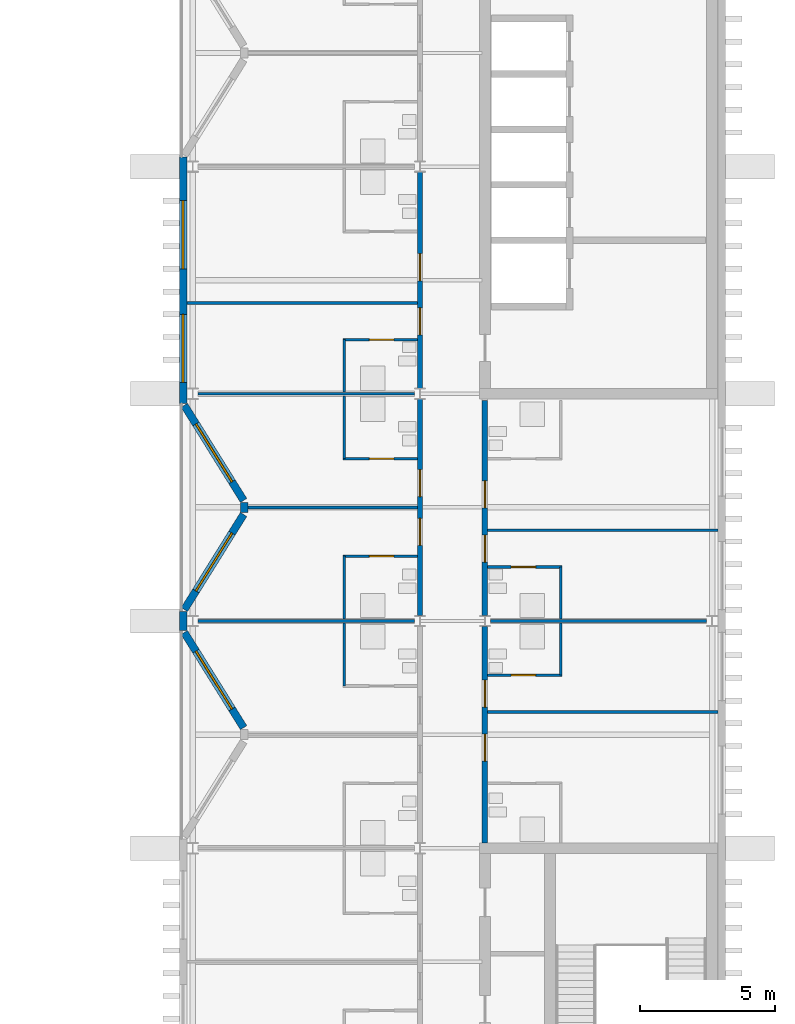
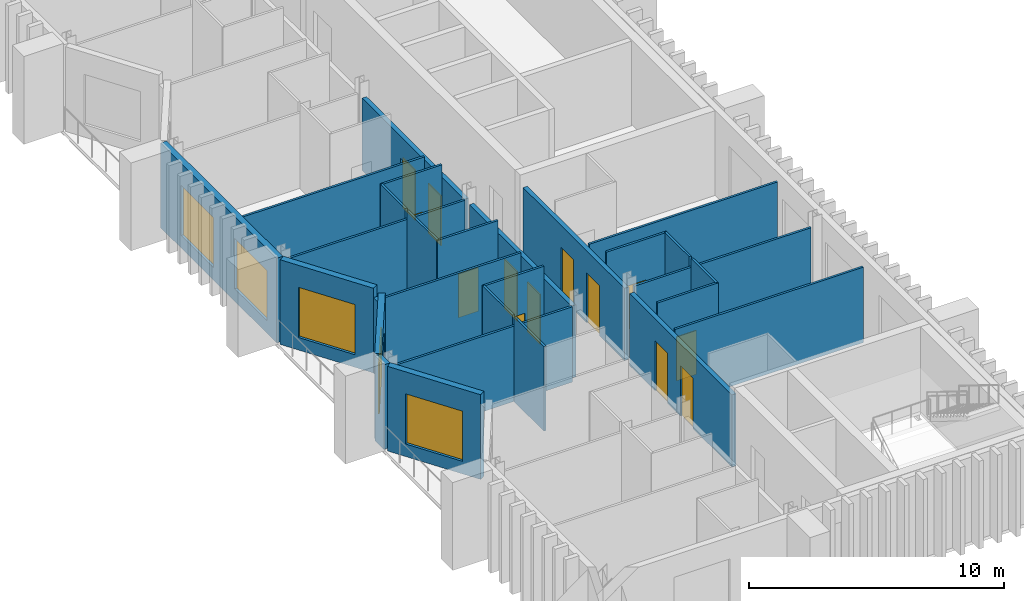
# One storey, part 12 of 18: 28 walls, 13 doors, 5 windows, 18 openings.
"""IFC4 building model written with IfcOpenShell, lengths in metres."""

from ifc_helpers import new_model, si_unit, direction, frame, frame_2d, origin, place, context, subcontext, project, spatial, rectangle, extrude, material, layer, layer_set, type_object, element, fill, save


model = new_model("IFC4")

# Units and contexts
model_context = context("Model", 3, precision=1e-05, world=origin(), true_north=direction((0.0, 1.0)))
body_context = subcontext(model_context, "Body", "Model", "MODEL_VIEW")
ifc_project = project(units=[si_unit("LENGTHUNIT", "METRE"), si_unit("AREAUNIT", "SQUARE_METRE"), si_unit("VOLUMEUNIT", "CUBIC_METRE"), si_unit("PLANEANGLEUNIT", "RADIAN"), si_unit("MASSUNIT", "GRAM", prefix="KILO")], contexts=[model_context])

# Site, building, storey
site_placement = place(None, origin())
site = spatial("IfcSite", under=ifc_project, at=site_placement, CompositionType="ELEMENT")
building_placement = place(site_placement, origin())
building = spatial("IfcBuilding", under=site, at=building_placement, Name="Cresset Court Congress Hotel", CompositionType="ELEMENT")
storey_placement = place(building_placement, frame((0.0, 0.0, 35.39990234375)))
storey = spatial("IfcBuildingStorey", under=building, at=storey_placement, Name="L08", CompositionType="ELEMENT", Elevation=35.39990234375)

# Wall, openings, doors
ifc_material_1 = material(Name="Gypsum board partition")
ifc_layer_1 = layer(ifc_material_1, 0.199951171875)
ifc_layer_set_1 = layer_set([ifc_layer_1], Name="Corridor wall 200")
wall_type_1 = type_object("IfcWallType", Name="Corridor wall 200", PredefinedType="PARTITIONING", material=ifc_layer_set_1)
wall_1_placement = place(storey_placement, frame((165.60009765625, 17.0, 0.0), z_axis=(0.0, 0.0, 1.0), x_axis=(0.0, 1.0, 0.0)))
wall_1 = element("IfcWall", 1, at=wall_1_placement, inside=storey, type_object=wall_type_1, Name="A.wl.L08.072", PredefinedType="PARTITIONING", context=body_context, shape_type="SweptSolid", body=[
    extrude(rectangle(XDim=8.0, YDim=0.199951171875, at=frame_2d((4.0, 0.0))), origin(), (0.0, 0.0, 1.0), 3.4501953125),
])
opening_1_placement = place(wall_1_placement, frame((2.60009765625, 0.0, 0.0)))
opening_1 = element("IfcOpeningElement", 2, at=opening_1_placement, cuts=wall_1, Name="Opening DA-08-10", PredefinedType="OPENING", context=body_context, shape_type="SweptSolid", body=[
    extrude(rectangle(XDim=1.0, YDim=2.39990234375, at=frame_2d((0.5, 1.199951171875))), frame((0.0, 0.10986328125, 0.0), z_axis=(0.0, -1.0, 0.0), x_axis=(1.0, 0.0, 0.0)), (0.0, 0.0, 1.0), 0.219970703125),
])
opening_2_placement = place(wall_1_placement, frame((4.39990234375, 0.0, 0.0)))
opening_2 = element("IfcOpeningElement", 3, at=opening_2_placement, cuts=wall_1, Name="Opening DA-08-12", PredefinedType="OPENING", context=body_context, shape_type="SweptSolid", body=[
    extrude(rectangle(XDim=1.0, YDim=2.39990234375, at=frame_2d((0.5, 1.199951171875))), frame((0.0, 0.10986328125, 0.0), z_axis=(0.0, -1.0, 0.0), x_axis=(1.0, 0.0, 0.0)), (0.0, 0.0, 1.0), 0.219970703125),
])
ifc_material_2 = material(Name="timber", Category="wood")
door_type_1 = type_object("IfcDoorType", Name="Guest-room entry door 1000x2400 FD30S", OperationType="SINGLE_SWING_LEFT", PredefinedType="DOOR", material=ifc_material_2)
door_1_placement = place(opening_1_placement, origin())
door_1 = element("IfcDoor", 4, at=door_1_placement, inside=storey, type_object=door_type_1, Name="Door DA-08-10", OperationType="SINGLE_SWING_RIGHT", OverallHeight=2.39990234375, OverallWidth=1.0, PredefinedType="DOOR", context=body_context, shape_type="SweptSolid", body=[
    extrude(rectangle(XDim=1.0, YDim=2.39990234375, at=frame_2d((0.5, 1.199951171875))), frame((0.0, 0.02490234375, 0.0), z_axis=(0.0, -1.0, 0.0), x_axis=(1.0, 0.0, 0.0)), (0.0, 0.0, 1.0), 0.050048828125),
])
fill(opening_1, door_1)
door_2_placement = place(opening_2_placement, origin())
door_2 = element("IfcDoor", 5, at=door_2_placement, inside=storey, type_object=door_type_1, Name="Door DA-08-12", OperationType="SINGLE_SWING_LEFT", OverallHeight=2.39990234375, OverallWidth=1.0, PredefinedType="DOOR", context=body_context, shape_type="SweptSolid", body=[
    extrude(rectangle(XDim=1.0, YDim=2.39990234375, at=frame_2d((0.5, 1.199951171875))), frame((0.0, 0.02490234375, 0.0), z_axis=(0.0, -1.0, 0.0), x_axis=(1.0, 0.0, 0.0)), (0.0, 0.0, 1.0), 0.050048828125),
])
fill(opening_2, door_2)

wall_2_placement = place(storey_placement, frame((165.60009765625, 25.39990234375, 0.0), z_axis=(0.0, 0.0, 1.0), x_axis=(0.0, 1.0, 0.0)))
wall_2 = element("IfcWall", 6, at=wall_2_placement, inside=storey, type_object=wall_type_1, Name="A.wl.L08.073", PredefinedType="PARTITIONING", context=body_context, shape_type="SweptSolid", body=[
    extrude(rectangle(XDim=8.0, YDim=0.199951171875, at=frame_2d((4.0, 0.0))), origin(), (0.0, 0.0, 1.0), 3.4501953125),
])
opening_3_placement = place(wall_2_placement, frame((1.97998046875, 0.0, 0.0)))
opening_3 = element("IfcOpeningElement", 7, at=opening_3_placement, cuts=wall_2, Name="Opening DA-08-14", PredefinedType="OPENING", context=body_context, shape_type="SweptSolid", body=[
    extrude(rectangle(XDim=1.0, YDim=2.39990234375, at=frame_2d((0.5, 1.199951171875))), frame((0.0, 0.10986328125, 0.0), z_axis=(0.0, -1.0, 0.0), x_axis=(1.0, 0.0, 0.0)), (0.0, 0.0, 1.0), 0.219970703125),
])
opening_4_placement = place(wall_2_placement, frame((3.97998046875, 0.0, 0.0)))
opening_4 = element("IfcOpeningElement", 8, at=opening_4_placement, cuts=wall_2, Name="Opening DA-08-16", PredefinedType="OPENING", context=body_context, shape_type="SweptSolid", body=[
    extrude(rectangle(XDim=1.0, YDim=2.39990234375, at=frame_2d((0.5, 1.199951171875))), frame((0.0, 0.10986328125, 0.0), z_axis=(0.0, -1.0, 0.0), x_axis=(1.0, 0.0, 0.0)), (0.0, 0.0, 1.0), 0.219970703125),
])
door_3_placement = place(opening_3_placement, origin())
door_3 = element("IfcDoor", 9, at=door_3_placement, inside=storey, type_object=door_type_1, Name="Door DA-08-14", OperationType="SINGLE_SWING_RIGHT", OverallHeight=2.39990234375, OverallWidth=1.0, PredefinedType="DOOR", context=body_context, shape_type="SweptSolid", body=[
    extrude(rectangle(XDim=1.0, YDim=2.39990234375, at=frame_2d((0.5, 1.199951171875))), frame((0.0, 0.02490234375, 0.0), z_axis=(0.0, -1.0, 0.0), x_axis=(1.0, 0.0, 0.0)), (0.0, 0.0, 1.0), 0.050048828125),
])
fill(opening_3, door_3)
door_4_placement = place(opening_4_placement, origin())
door_4 = element("IfcDoor", 10, at=door_4_placement, inside=storey, type_object=door_type_1, Name="Door DA-08-16", OperationType="SINGLE_SWING_LEFT", OverallHeight=2.39990234375, OverallWidth=1.0, PredefinedType="DOOR", context=body_context, shape_type="SweptSolid", body=[
    extrude(rectangle(XDim=1.0, YDim=2.39990234375, at=frame_2d((0.5, 1.199951171875))), frame((0.0, 0.02490234375, 0.0), z_axis=(0.0, -1.0, 0.0), x_axis=(1.0, 0.0, 0.0)), (0.0, 0.0, 1.0), 0.050048828125),
])
fill(opening_4, door_4)

wall_3_placement = place(storey_placement, frame((168.0, 8.60009765625, 0.0), z_axis=(0.0, 0.0, 1.0), x_axis=(0.0, 1.0, 0.0)))
wall_3 = element("IfcWall", 11, at=wall_3_placement, inside=storey, type_object=wall_type_1, Name="A.wl.L08.078", PredefinedType="PARTITIONING", context=body_context, shape_type="SweptSolid", body=[
    extrude(rectangle(XDim=8.0, YDim=0.199951171875, at=frame_2d((4.0, 0.0))), origin(), (0.0, 0.0, 1.0), 3.4501953125),
])
opening_5_placement = place(wall_3_placement, frame((3.02001953125, 0.0, 0.0)))
opening_5 = element("IfcOpeningElement", 12, at=opening_5_placement, cuts=wall_3, Name="Opening DA-08-34", PredefinedType="OPENING", context=body_context, shape_type="SweptSolid", body=[
    extrude(rectangle(XDim=1.0, YDim=2.39990234375, at=frame_2d((0.5, 1.199951171875))), frame((0.0, 0.10986328125, 0.0), z_axis=(0.0, -1.0, 0.0), x_axis=(1.0, 0.0, 0.0)), (0.0, 0.0, 1.0), 0.219970703125),
])
opening_6_placement = place(wall_3_placement, frame((5.02001953125, 0.0, 0.0)))
opening_6 = element("IfcOpeningElement", 13, at=opening_6_placement, cuts=wall_3, Name="Opening DA-08-36", PredefinedType="OPENING", context=body_context, shape_type="SweptSolid", body=[
    extrude(rectangle(XDim=1.0, YDim=2.39990234375, at=frame_2d((0.5, 1.199951171875))), frame((0.0, 0.10986328125, 0.0), z_axis=(0.0, -1.0, 0.0), x_axis=(1.0, 0.0, 0.0)), (0.0, 0.0, 1.0), 0.219970703125),
])
door_5_placement = place(opening_5_placement, origin())
door_5 = element("IfcDoor", 14, at=door_5_placement, inside=storey, type_object=door_type_1, Name="Door DA-08-34", OperationType="SINGLE_SWING_RIGHT", OverallHeight=2.39990234375, OverallWidth=1.0, PredefinedType="DOOR", context=body_context, shape_type="SweptSolid", body=[
    extrude(rectangle(XDim=1.0, YDim=2.39990234375, at=frame_2d((0.5, 1.199951171875))), frame((0.0, 0.02490234375, 0.0), z_axis=(0.0, -1.0, 0.0), x_axis=(1.0, 0.0, 0.0)), (0.0, 0.0, 1.0), 0.050048828125),
])
fill(opening_5, door_5)
door_6_placement = place(opening_6_placement, origin())
door_6 = element("IfcDoor", 15, at=door_6_placement, inside=storey, type_object=door_type_1, Name="Door DA-08-36", OperationType="SINGLE_SWING_LEFT", OverallHeight=2.39990234375, OverallWidth=1.0, PredefinedType="DOOR", context=body_context, shape_type="SweptSolid", body=[
    extrude(rectangle(XDim=1.0, YDim=2.39990234375, at=frame_2d((0.5, 1.199951171875))), frame((0.0, 0.02490234375, 0.0), z_axis=(0.0, -1.0, 0.0), x_axis=(1.0, 0.0, 0.0)), (0.0, 0.0, 1.0), 0.050048828125),
])
fill(opening_6, door_6)

wall_4_placement = place(storey_placement, frame((168.0, 17.0, 0.0), z_axis=(0.0, 0.0, 1.0), x_axis=(0.0, 1.0, 0.0)))
wall_4 = element("IfcWall", 16, at=wall_4_placement, inside=storey, type_object=wall_type_1, Name="A.wl.L08.079", PredefinedType="PARTITIONING", context=body_context, shape_type="SweptSolid", body=[
    extrude(rectangle(XDim=7.949951171875, YDim=0.199951171875, at=frame_2d((3.97509765625, 0.0))), origin(), (0.0, 0.0, 1.0), 3.4501953125),
])
opening_7_placement = place(wall_4_placement, frame((1.97998046875, 0.0, 0.0)))
opening_7 = element("IfcOpeningElement", 17, at=opening_7_placement, cuts=wall_4, Name="Opening DA-08-38", PredefinedType="OPENING", context=body_context, shape_type="SweptSolid", body=[
    extrude(rectangle(XDim=1.0, YDim=2.39990234375, at=frame_2d((0.5, 1.199951171875))), frame((0.0, 0.10986328125, 0.0), z_axis=(0.0, -1.0, 0.0), x_axis=(1.0, 0.0, 0.0)), (0.0, 0.0, 1.0), 0.219970703125),
])
opening_8_placement = place(wall_4_placement, frame((3.97998046875, 0.0, 0.0)))
opening_8 = element("IfcOpeningElement", 18, at=opening_8_placement, cuts=wall_4, Name="Opening DA-08-40", PredefinedType="OPENING", context=body_context, shape_type="SweptSolid", body=[
    extrude(rectangle(XDim=1.0, YDim=2.39990234375, at=frame_2d((0.5, 1.199951171875))), frame((0.0, 0.10986328125, 0.0), z_axis=(0.0, -1.0, 0.0), x_axis=(1.0, 0.0, 0.0)), (0.0, 0.0, 1.0), 0.219970703125),
])
door_7_placement = place(opening_7_placement, origin())
door_7 = element("IfcDoor", 19, at=door_7_placement, inside=storey, type_object=door_type_1, Name="Door DA-08-38", OperationType="SINGLE_SWING_RIGHT", OverallHeight=2.39990234375, OverallWidth=1.0, PredefinedType="DOOR", context=body_context, shape_type="SweptSolid", body=[
    extrude(rectangle(XDim=1.0, YDim=2.39990234375, at=frame_2d((0.5, 1.199951171875))), frame((0.0, 0.02490234375, 0.0), z_axis=(0.0, -1.0, 0.0), x_axis=(1.0, 0.0, 0.0)), (0.0, 0.0, 1.0), 0.050048828125),
])
fill(opening_7, door_7)
door_8_placement = place(opening_8_placement, origin())
door_8 = element("IfcDoor", 20, at=door_8_placement, inside=storey, type_object=door_type_1, Name="Door DA-08-40", OperationType="SINGLE_SWING_LEFT", OverallHeight=2.39990234375, OverallWidth=1.0, PredefinedType="DOOR", context=body_context, shape_type="SweptSolid", body=[
    extrude(rectangle(XDim=1.0, YDim=2.39990234375, at=frame_2d((0.5, 1.199951171875))), frame((0.0, 0.02490234375, 0.0), z_axis=(0.0, -1.0, 0.0), x_axis=(1.0, 0.0, 0.0)), (0.0, 0.0, 1.0), 0.050048828125),
])
fill(opening_8, door_8)

# Walls
ifc_material_3 = material(Name="Gypsum board partition")
ifc_layer_2 = layer(ifc_material_3, 0.10009765625)
ifc_layer_set_2 = layer_set([ifc_layer_2], Name="En-suite wall 100")
wall_type_2 = type_object("IfcWallType", Name="En-suite wall 100", PredefinedType="PARTITIONING", material=ifc_layer_set_2)
wall_5_placement = place(storey_placement, frame((162.800048828125, 14.39990234375, 0.0), z_axis=(0.0, 0.0, 1.0), x_axis=(0.0, 1.0, 0.0)))
element("IfcWall", 21, at=wall_5_placement, inside=storey, type_object=wall_type_2, Name="A.wl.L08.007", PredefinedType="PARTITIONING", context=body_context, shape_type="SweptSolid", body=[
    extrude(rectangle(XDim=2.3251953125, YDim=0.10009765625, at=frame_2d((1.16259765625, 0.0))), origin(), (0.0, 0.0, 1.0), 4.050048828125),
])
wall_6_placement = place(storey_placement, frame((162.800048828125, 16.875, 0.0), z_axis=(0.0, 0.0, 1.0), x_axis=(0.0, 1.0, 0.0)))
element("IfcWall", 22, at=wall_6_placement, inside=storey, type_object=wall_type_2, Name="A.wl.L08.009", PredefinedType="PARTITIONING", context=body_context, shape_type="SweptSolid", body=[
    extrude(rectangle(XDim=2.324951171875, YDim=0.10009765625, at=frame_2d((1.16259765625, 0.0))), origin(), (0.0, 0.0, 1.0), 4.050048828125),
])

# Wall, opening, door
wall_7_placement = place(storey_placement, frame((162.75, 19.199951171875, 0.0), z_axis=(0.0, 0.0, 1.0), x_axis=(1.0, 0.0, 0.0)))
wall_7 = element("IfcWall", 23, at=wall_7_placement, inside=storey, type_object=wall_type_2, Name="A.wl.L08.010", PredefinedType="PARTITIONING", context=body_context, shape_type="SweptSolid", body=[
    extrude(rectangle(XDim=2.75, YDim=0.10009765625, at=frame_2d((1.375, 0.0))), origin(), (0.0, 0.0, 1.0), 4.050048828125),
])
opening_9_placement = place(wall_7_placement, frame((0.97998046875, 0.0, 0.0)))
opening_9 = element("IfcOpeningElement", 24, at=opening_9_placement, cuts=wall_7, Name="Opening DA-08-09", PredefinedType="OPENING", context=body_context, shape_type="SweptSolid", body=[
    extrude(rectangle(XDim=0.89990234375, YDim=2.10009765625, at=frame_2d((0.449951171875, 1.050048828125))), frame((0.0, 0.06005859375, 0.0), z_axis=(0.0, -1.0, 0.0), x_axis=(1.0, 0.0, 0.0)), (0.0, 0.0, 1.0), 0.1201171875),
])
ifc_material_4 = material(Name="timber", Category="wood")
door_type_2 = type_object("IfcDoorType", Name="En-suite door 900x2100", OperationType="SINGLE_SWING_LEFT", PredefinedType="DOOR", material=ifc_material_4)
door_9_placement = place(opening_9_placement, origin())
door_9 = element("IfcDoor", 25, at=door_9_placement, inside=storey, type_object=door_type_2, Name="Door DA-08-09", OperationType="SINGLE_SWING_RIGHT", OverallHeight=2.10009765625, OverallWidth=0.89990234375, PredefinedType="DOOR", context=body_context, shape_type="SweptSolid", body=[
    extrude(rectangle(XDim=0.89990234375, YDim=2.10009765625, at=frame_2d((0.449951171875, 1.050048828125))), frame((0.0, 0.02490234375, 0.0), z_axis=(0.0, -1.0, 0.0), x_axis=(1.0, 0.0, 0.0)), (0.0, 0.0, 1.0), 0.050048828125),
])
fill(opening_9, door_9)

# Wall
wall_8_placement = place(storey_placement, frame((162.800048828125, 22.800048828125, 0.0), z_axis=(0.0, 0.0, 1.0), x_axis=(0.0, 1.0, 0.0)))
element("IfcWall", 26, at=wall_8_placement, inside=storey, type_object=wall_type_2, Name="A.wl.L08.011", PredefinedType="PARTITIONING", context=body_context, shape_type="SweptSolid", body=[
    extrude(rectangle(XDim=2.324951171875, YDim=0.10009765625, at=frame_2d((1.16259765625, 0.0))), origin(), (0.0, 0.0, 1.0), 4.050048828125),
])

# Wall, opening, door
wall_9_placement = place(storey_placement, frame((162.75, 22.800048828125, 0.0), z_axis=(0.0, 0.0, 1.0), x_axis=(1.0, 0.0, 0.0)))
wall_9 = element("IfcWall", 27, at=wall_9_placement, inside=storey, type_object=wall_type_2, Name="A.wl.L08.012", PredefinedType="PARTITIONING", context=body_context, shape_type="SweptSolid", body=[
    extrude(rectangle(XDim=2.75, YDim=0.10009765625, at=frame_2d((1.375, 0.0))), origin(), (0.0, 0.0, 1.0), 4.050048828125),
])
opening_10_placement = place(wall_9_placement, frame((0.97998046875, 0.0, 0.0)))
opening_10 = element("IfcOpeningElement", 28, at=opening_10_placement, cuts=wall_9, Name="Opening DA-08-11", PredefinedType="OPENING", context=body_context, shape_type="SweptSolid", body=[
    extrude(rectangle(XDim=0.89990234375, YDim=2.10009765625, at=frame_2d((0.449951171875, 1.050048828125))), frame((0.0, 0.06005859375, 0.0), z_axis=(0.0, -1.0, 0.0), x_axis=(1.0, 0.0, 0.0)), (0.0, 0.0, 1.0), 0.1201171875),
])
door_10_placement = place(opening_10_placement, origin())
door_10 = element("IfcDoor", 29, at=door_10_placement, inside=storey, type_object=door_type_2, Name="Door DA-08-11", OperationType="SINGLE_SWING_LEFT", OverallHeight=2.10009765625, OverallWidth=0.89990234375, PredefinedType="DOOR", context=body_context, shape_type="SweptSolid", body=[
    extrude(rectangle(XDim=0.89990234375, YDim=2.10009765625, at=frame_2d((0.449951171875, 1.050048828125))), frame((0.0, 0.02490234375, 0.0), z_axis=(0.0, -1.0, 0.0), x_axis=(1.0, 0.0, 0.0)), (0.0, 0.0, 1.0), 0.050048828125),
])
fill(opening_10, door_10)

# Wall
wall_10_placement = place(storey_placement, frame((162.800048828125, 25.27490234375, 0.0), z_axis=(0.0, 0.0, 1.0), x_axis=(0.0, 1.0, 0.0)))
element("IfcWall", 30, at=wall_10_placement, inside=storey, type_object=wall_type_2, Name="A.wl.L08.013", PredefinedType="PARTITIONING", context=body_context, shape_type="SweptSolid", body=[
    extrude(rectangle(XDim=1.925048828125, YDim=0.10009765625, at=frame_2d((0.96240234375, 0.0))), origin(), (0.0, 0.0, 1.0), 4.050048828125),
])

# Wall, opening, door
wall_11_placement = place(storey_placement, frame((162.75, 27.199951171875, 0.0), z_axis=(0.0, 0.0, 1.0), x_axis=(1.0, 0.0, 0.0)))
wall_11 = element("IfcWall", 31, at=wall_11_placement, inside=storey, type_object=wall_type_2, Name="A.wl.L08.014", PredefinedType="PARTITIONING", context=body_context, shape_type="SweptSolid", body=[
    extrude(rectangle(XDim=2.75, YDim=0.10009765625, at=frame_2d((1.375, 0.0))), origin(), (0.0, 0.0, 1.0), 4.050048828125),
])
opening_11_placement = place(wall_11_placement, frame((0.97998046875, 0.0, 0.0)))
opening_11 = element("IfcOpeningElement", 32, at=opening_11_placement, cuts=wall_11, Name="Opening DA-08-13", PredefinedType="OPENING", context=body_context, shape_type="SweptSolid", body=[
    extrude(rectangle(XDim=0.89990234375, YDim=2.10009765625, at=frame_2d((0.449951171875, 1.050048828125))), frame((0.0, 0.06005859375, 0.0), z_axis=(0.0, -1.0, 0.0), x_axis=(1.0, 0.0, 0.0)), (0.0, 0.0, 1.0), 0.1201171875),
])
door_11_placement = place(opening_11_placement, origin())
door_11 = element("IfcDoor", 33, at=door_11_placement, inside=storey, type_object=door_type_2, Name="Door DA-08-13", OperationType="SINGLE_SWING_RIGHT", OverallHeight=2.10009765625, OverallWidth=0.89990234375, PredefinedType="DOOR", context=body_context, shape_type="SweptSolid", body=[
    extrude(rectangle(XDim=0.89990234375, YDim=2.10009765625, at=frame_2d((0.449951171875, 1.050048828125))), frame((0.0, 0.02490234375, 0.0), z_axis=(0.0, -1.0, 0.0), x_axis=(1.0, 0.0, 0.0)), (0.0, 0.0, 1.0), 0.050048828125),
])
fill(opening_11, door_11)

# Wall
wall_12_placement = place(storey_placement, frame((170.800048828125, 14.800048828125, 0.0), z_axis=(0.0, 0.0, 1.0), x_axis=(0.0, 1.0, 0.0)))
element("IfcWall", 34, at=wall_12_placement, inside=storey, type_object=wall_type_2, Name="A.wl.L08.035", PredefinedType="PARTITIONING", context=body_context, shape_type="SweptSolid", body=[
    extrude(rectangle(XDim=1.925048828125, YDim=0.10009765625, at=frame_2d((0.96240234375, 0.0))), origin(), (0.0, 0.0, 1.0), 4.050048828125),
])

# Wall, opening, door
wall_13_placement = place(storey_placement, frame((170.85009765625, 14.800048828125, 0.0), z_axis=(0.0, 0.0, 1.0), x_axis=(-1.0, 0.0, 0.0)))
wall_13 = element("IfcWall", 35, at=wall_13_placement, inside=storey, type_object=wall_type_2, Name="A.wl.L08.036", PredefinedType="PARTITIONING", context=body_context, shape_type="SweptSolid", body=[
    extrude(rectangle(XDim=2.75, YDim=0.10009765625, at=frame_2d((1.375, 0.0))), origin(), (0.0, 0.0, 1.0), 4.050048828125),
])
opening_12_placement = place(wall_13_placement, frame((0.97998046875, 0.0, 0.0)))
opening_12 = element("IfcOpeningElement", 36, at=opening_12_placement, cuts=wall_13, Name="Opening DA-08-35", PredefinedType="OPENING", context=body_context, shape_type="SweptSolid", body=[
    extrude(rectangle(XDim=0.89990234375, YDim=2.10009765625, at=frame_2d((0.449951171875, 1.050048828125))), frame((0.0, 0.06005859375, 0.0), z_axis=(0.0, -1.0, 0.0), x_axis=(1.0, 0.0, 0.0)), (0.0, 0.0, 1.0), 0.1201171875),
])
door_12_placement = place(opening_12_placement, origin())
door_12 = element("IfcDoor", 37, at=door_12_placement, inside=storey, type_object=door_type_2, Name="Door DA-08-35", OperationType="SINGLE_SWING_LEFT", OverallHeight=2.10009765625, OverallWidth=0.89990234375, PredefinedType="DOOR", context=body_context, shape_type="SweptSolid", body=[
    extrude(rectangle(XDim=0.89990234375, YDim=2.10009765625, at=frame_2d((0.449951171875, 1.050048828125))), frame((0.0, 0.02490234375, 0.0), z_axis=(0.0, -1.0, 0.0), x_axis=(1.0, 0.0, 0.0)), (0.0, 0.0, 1.0), 0.050048828125),
])
fill(opening_12, door_12)

# Wall
wall_14_placement = place(storey_placement, frame((170.800048828125, 16.875, 0.0), z_axis=(0.0, 0.0, 1.0), x_axis=(0.0, 1.0, 0.0)))
element("IfcWall", 38, at=wall_14_placement, inside=storey, type_object=wall_type_2, Name="A.wl.L08.037", PredefinedType="PARTITIONING", context=body_context, shape_type="SweptSolid", body=[
    extrude(rectangle(XDim=1.925048828125, YDim=0.10009765625, at=frame_2d((0.96240234375, 0.0))), origin(), (0.0, 0.0, 1.0), 4.050048828125),
])

# Wall, opening, door
wall_15_placement = place(storey_placement, frame((170.85009765625, 18.800048828125, 0.0), z_axis=(0.0, 0.0, 1.0), x_axis=(-1.0, 0.0, 0.0)))
wall_15 = element("IfcWall", 39, at=wall_15_placement, inside=storey, type_object=wall_type_2, Name="A.wl.L08.038", PredefinedType="PARTITIONING", context=body_context, shape_type="SweptSolid", body=[
    extrude(rectangle(XDim=2.75, YDim=0.10009765625, at=frame_2d((1.375, 0.0))), origin(), (0.0, 0.0, 1.0), 4.050048828125),
])
opening_13_placement = place(wall_15_placement, frame((0.97998046875, 0.0, 0.0)))
opening_13 = element("IfcOpeningElement", 40, at=opening_13_placement, cuts=wall_15, Name="Opening DA-08-37", PredefinedType="OPENING", context=body_context, shape_type="SweptSolid", body=[
    extrude(rectangle(XDim=0.89990234375, YDim=2.10009765625, at=frame_2d((0.449951171875, 1.050048828125))), frame((0.0, 0.06005859375, 0.0), z_axis=(0.0, -1.0, 0.0), x_axis=(1.0, 0.0, 0.0)), (0.0, 0.0, 1.0), 0.1201171875),
])
door_13_placement = place(opening_13_placement, origin())
door_13 = element("IfcDoor", 41, at=door_13_placement, inside=storey, type_object=door_type_2, Name="Door DA-08-37", OperationType="SINGLE_SWING_RIGHT", OverallHeight=2.10009765625, OverallWidth=0.89990234375, PredefinedType="DOOR", context=body_context, shape_type="SweptSolid", body=[
    extrude(rectangle(XDim=0.89990234375, YDim=2.10009765625, at=frame_2d((0.449951171875, 1.050048828125))), frame((0.0, 0.02490234375, 0.0), z_axis=(0.0, -1.0, 0.0), x_axis=(1.0, 0.0, 0.0)), (0.0, 0.0, 1.0), 0.050048828125),
])
fill(opening_13, door_13)

# Wall, opening, window
ifc_material_5 = material(Name="Precast concrete C50", Category="concrete")
ifc_layer_3 = layer(ifc_material_5, 0.280029296875)
ifc_layer_set_3 = layer_set([ifc_layer_3], Name="External wall 280")
wall_type_3 = type_object("IfcWallType", Name="External wall 280", PredefinedType="SOLIDWALL", material=ifc_layer_set_3)
wall_16_placement = place(storey_placement, frame((159.07861328125, 12.85888671875, 0.0), z_axis=(0.0, 0.0, 1.0), x_axis=(-0.528992500338, 0.848626498871, 0.0)))
wall_16 = element("IfcWall", 42, at=wall_16_placement, inside=storey, type_object=wall_type_3, Name="A.ew.L08.Wn.1.1", PredefinedType="SOLIDWALL", context=body_context, shape_type="SweptSolid", body=[
    extrude(rectangle(XDim=4.14453125, YDim=0.280029296875, at=frame_2d((2.072265625, 0.0))), origin(), (0.0, 0.0, 1.0), 4.050048828125),
])
opening_14_placement = place(wall_16_placement, frame((0.812255859375, 0.0, 0.60009765625)))
opening_14 = element("IfcOpeningElement", 43, at=opening_14_placement, cuts=wall_16, Name="Opening NA-08-04", PredefinedType="OPENING", context=body_context, shape_type="SweptSolid", body=[
    extrude(rectangle(XDim=2.52001953125, YDim=2.39990234375, at=frame_2d((1.260009765625, 1.199951171875))), frame((0.0, 0.14990234375, 0.0), z_axis=(0.0, -1.0, 0.0), x_axis=(1.0, 0.0, 0.0)), (0.0, 0.0, 1.0), 0.300048828125),
])
ifc_material_6 = material(Name="Aluminium and glass", Category="aluminium")
window_type = type_object("IfcWindowType", Name="Window 2520x2400", PartitioningType="SINGLE_PANEL", PredefinedType="WINDOW", material=ifc_material_6)
window_1_placement = place(opening_14_placement, origin())
window_1 = element("IfcWindow", 44, at=window_1_placement, inside=storey, type_object=window_type, Name="Window NA-08-04", OverallHeight=2.39990234375, OverallWidth=2.52001953125, PartitioningType="SINGLE_PANEL", PredefinedType="WINDOW", context=body_context, shape_type="SweptSolid", body=[
    extrude(rectangle(XDim=2.52001953125, YDim=2.39990234375, at=frame_2d((1.260009765625, 1.199951171875))), frame((0.0, 0.030029296875, 0.0), z_axis=(0.0, -1.0, 0.0), x_axis=(1.0, 0.0, 0.0)), (0.0, 0.0, 1.0), 0.06005859375),
])
fill(opening_14, window_1)

# Wall
wall_17_placement = place(storey_placement, frame((156.840087890625, 16.449951171875, 0.0), z_axis=(0.0, 0.0, 1.0), x_axis=(0.0, 1.0, 0.0)))
element("IfcWall", 45, at=wall_17_placement, inside=storey, type_object=wall_type_3, Name="A.ew.L08.W.2", PredefinedType="SOLIDWALL", context=body_context, shape_type="SweptSolid", body=[
    extrude(rectangle(XDim=0.699951171875, YDim=0.280029296875, at=frame_2d((0.35009765625, 0.0))), origin(), (0.0, 0.0, 1.0), 4.050048828125),
])

# Wall, opening, window
wall_18_placement = place(storey_placement, frame((156.88623046875, 17.22412109375, 0.0), z_axis=(0.0, 0.0, 1.0), x_axis=(0.529018946142, 0.848610013271, 0.0)))
wall_18 = element("IfcWall", 46, at=wall_18_placement, inside=storey, type_object=wall_type_3, Name="A.ew.L08.Wn.2.0", PredefinedType="SOLIDWALL", context=body_context, shape_type="SweptSolid", body=[
    extrude(rectangle(XDim=4.144287109375, YDim=0.280029296875, at=frame_2d((2.072265625, 0.0))), origin(), (0.0, 0.0, 1.0), 4.050048828125),
])
opening_15_placement = place(wall_18_placement, frame((0.812255859375, 0.0, 0.60009765625)))
opening_15 = element("IfcOpeningElement", 47, at=opening_15_placement, cuts=wall_18, Name="Opening NA-08-05", PredefinedType="OPENING", context=body_context, shape_type="SweptSolid", body=[
    extrude(rectangle(XDim=2.52001953125, YDim=2.39990234375, at=frame_2d((1.260009765625, 1.199951171875))), frame((0.0, 0.14990234375, 0.0), z_axis=(0.0, -1.0, 0.0), x_axis=(1.0, 0.0, 0.0)), (0.0, 0.0, 1.0), 0.300048828125),
])
window_2_placement = place(opening_15_placement, origin())
window_2 = element("IfcWindow", 48, at=window_2_placement, inside=storey, type_object=window_type, Name="Window NA-08-05", OverallHeight=2.39990234375, OverallWidth=2.52001953125, PartitioningType="SINGLE_PANEL", PredefinedType="WINDOW", context=body_context, shape_type="SweptSolid", body=[
    extrude(rectangle(XDim=2.52001953125, YDim=2.39990234375, at=frame_2d((1.260009765625, 1.199951171875))), frame((0.0, 0.030029296875, 0.0), z_axis=(0.0, -1.0, 0.0), x_axis=(1.0, 0.0, 0.0)), (0.0, 0.0, 1.0), 0.06005859375),
])
fill(opening_15, window_2)

wall_19_placement = place(storey_placement, frame((159.07861328125, 21.259033203125, 0.0), z_axis=(0.0, 0.0, 1.0), x_axis=(-0.529018946142, 0.848610013271, 0.0)))
wall_19 = element("IfcWall", 49, at=wall_19_placement, inside=storey, type_object=wall_type_3, Name="A.ew.L08.Wn.2.1", PredefinedType="SOLIDWALL", context=body_context, shape_type="SweptSolid", body=[
    extrude(rectangle(XDim=4.144287109375, YDim=0.280029296875, at=frame_2d((2.072265625, 0.0))), origin(), (0.0, 0.0, 1.0), 4.050048828125),
])
opening_16_placement = place(wall_19_placement, frame((0.812255859375, 0.0, 0.60009765625)))
opening_16 = element("IfcOpeningElement", 50, at=opening_16_placement, cuts=wall_19, Name="Opening NA-08-06", PredefinedType="OPENING", context=body_context, shape_type="SweptSolid", body=[
    extrude(rectangle(XDim=2.52001953125, YDim=2.39990234375, at=frame_2d((1.260009765625, 1.199951171875))), frame((0.0, 0.14990234375, 0.0), z_axis=(0.0, -1.0, 0.0), x_axis=(1.0, 0.0, 0.0)), (0.0, 0.0, 1.0), 0.300048828125),
])
window_3_placement = place(opening_16_placement, origin())
window_3 = element("IfcWindow", 51, at=window_3_placement, inside=storey, type_object=window_type, Name="Window NA-08-06", OverallHeight=2.39990234375, OverallWidth=2.52001953125, PartitioningType="SINGLE_PANEL", PredefinedType="WINDOW", context=body_context, shape_type="SweptSolid", body=[
    extrude(rectangle(XDim=2.52001953125, YDim=2.39990234375, at=frame_2d((1.260009765625, 1.199951171875))), frame((0.0, 0.030029296875, 0.0), z_axis=(0.0, -1.0, 0.0), x_axis=(1.0, 0.0, 0.0)), (0.0, 0.0, 1.0), 0.06005859375),
])
fill(opening_16, window_3)

# Wall
wall_20_placement = place(storey_placement, frame((159.099609375, 20.815185546875, 0.0), z_axis=(0.0, 0.0, 1.0), x_axis=(0.0, 1.0, 0.0)))
element("IfcWall", 52, at=wall_20_placement, inside=storey, type_object=wall_type_3, Name="A.ew.L08.Wn.2.2", PredefinedType="SOLIDWALL", context=body_context, shape_type="SweptSolid", body=[
    extrude(rectangle(XDim=0.36962890625, YDim=0.280029296875, at=frame_2d((0.184814453125, 0.0))), origin(), (0.0, 0.0, 1.0), 3.60400390625),
])

# Wall, openings, windows
wall_21_placement = place(storey_placement, frame((156.840087890625, 24.85009765625, 0.0), z_axis=(0.0, 0.0, 1.0), x_axis=(0.0, 1.0, 0.0)))
wall_21 = element("IfcWall", 53, at=wall_21_placement, inside=storey, type_object=wall_type_3, Name="A.ew.L08.W.3", PredefinedType="SOLIDWALL", context=body_context, shape_type="SweptSolid", body=[
    extrude(rectangle(XDim=9.099853515625, YDim=0.280029296875, at=frame_2d((4.5498046875, 0.0))), origin(), (0.0, 0.0, 1.0), 4.050048828125),
])
opening_17_placement = place(wall_21_placement, frame((0.77001953125, 0.0, 0.60009765625)))
opening_17 = element("IfcOpeningElement", 54, at=opening_17_placement, cuts=wall_21, Name="Opening NA-08-07", PredefinedType="OPENING", context=body_context, shape_type="SweptSolid", body=[
    extrude(rectangle(XDim=2.52001953125, YDim=2.39990234375, at=frame_2d((1.260009765625, 1.199951171875))), frame((0.0, 0.14990234375, 0.0), z_axis=(0.0, -1.0, 0.0), x_axis=(1.0, 0.0, 0.0)), (0.0, 0.0, 1.0), 0.300048828125),
])
opening_18_placement = place(wall_21_placement, frame((4.969970703125, 0.0, 0.60009765625)))
opening_18 = element("IfcOpeningElement", 55, at=opening_18_placement, cuts=wall_21, Name="Opening NA-08-08", PredefinedType="OPENING", context=body_context, shape_type="SweptSolid", body=[
    extrude(rectangle(XDim=2.52001953125, YDim=2.39990234375, at=frame_2d((1.260009765625, 1.199951171875))), frame((0.0, 0.14990234375, 0.0), z_axis=(0.0, -1.0, 0.0), x_axis=(1.0, 0.0, 0.0)), (0.0, 0.0, 1.0), 0.300048828125),
])
window_4_placement = place(opening_17_placement, origin())
window_4 = element("IfcWindow", 56, at=window_4_placement, inside=storey, type_object=window_type, Name="Window NA-08-07", OverallHeight=2.39990234375, OverallWidth=2.52001953125, PartitioningType="SINGLE_PANEL", PredefinedType="WINDOW", context=body_context, shape_type="SweptSolid", body=[
    extrude(rectangle(XDim=2.52001953125, YDim=2.39990234375, at=frame_2d((1.260009765625, 1.199951171875))), frame((0.0, 0.030029296875, 0.0), z_axis=(0.0, -1.0, 0.0), x_axis=(1.0, 0.0, 0.0)), (0.0, 0.0, 1.0), 0.06005859375),
])
fill(opening_17, window_4)
window_5_placement = place(opening_18_placement, origin())
window_5 = element("IfcWindow", 57, at=window_5_placement, inside=storey, type_object=window_type, Name="Window NA-08-08", OverallHeight=2.39990234375, OverallWidth=2.52001953125, PartitioningType="SINGLE_PANEL", PredefinedType="WINDOW", context=body_context, shape_type="SweptSolid", body=[
    extrude(rectangle(XDim=2.52001953125, YDim=2.39990234375, at=frame_2d((1.260009765625, 1.199951171875))), frame((0.0, 0.030029296875, 0.0), z_axis=(0.0, -1.0, 0.0), x_axis=(1.0, 0.0, 0.0)), (0.0, 0.0, 1.0), 0.06005859375),
])
fill(opening_18, window_5)

# Walls
ifc_material_7 = material(Name="Gypsum board partition")
ifc_layer_4 = layer(ifc_material_7, 0.10009765625)
ifc_layer_set_4 = layer_set([ifc_layer_4], Name="Guest-room partition 100")
wall_type_4 = type_object("IfcWallType", Name="Guest-room partition 100", PredefinedType="PARTITIONING", material=ifc_layer_set_4)
for number, where, z_axis, x_axis, name in (
    (58, (157.39990234375, 16.800048828125, 0.0), (0.0, 0.0, 1.0), (1.0, 0.0, 0.0), "A.wl.L08.050"),
    (59, (157.39990234375, 25.199951171875, 0.0), (0.0, 0.0, 1.0), (1.0, 0.0, 0.0), "A.wl.L08.051"),
    (60, (168.199951171875, 16.800048828125, 0.0), (0.0, 0.0, 1.0), (1.0, 0.0, 0.0), "A.wl.L08.056"),
):
    element("IfcWall", number, at=place(storey_placement, frame(where, z_axis=z_axis, x_axis=x_axis)), inside=storey, type_object=wall_type_4, Name=name, PredefinedType="PARTITIONING", context=body_context, shape_type="SweptSolid", body=[
        extrude(rectangle(XDim=8.0, YDim=0.10009765625, at=frame_2d((4.0, 0.0))), origin(), (0.0, 0.0, 1.0), 3.60400390625),
    ])
wall_22_placement = place(storey_placement, frame((159.23974609375, 21.0, 0.0), z_axis=(0.0, 0.0, 1.0), x_axis=(1.0, 0.0, 0.0)))
element("IfcWall", 61, at=wall_22_placement, inside=storey, type_object=wall_type_4, Name="A.wl.L08.060", PredefinedType="PARTITIONING", context=body_context, shape_type="SweptSolid", body=[
    extrude(rectangle(XDim=6.26025390625, YDim=0.10009765625, at=frame_2d((3.130126953125, 0.0))), origin(), (0.0, 0.0, 1.0), 3.60400390625),
])
for number, where, z_axis, x_axis, name in (
    (62, (156.97998046875, 28.56005859375, 0.0), (0.0, 0.0, 1.0), (1.0, 0.0, 0.0), "A.wl.L08.061"),
    (63, (168.10009765625, 13.43994140625, 0.0), (0.0, 0.0, 1.0), (1.0, 0.0, 0.0), "A.wl.L08.066"),
    (64, (168.10009765625, 20.159912109375, 0.0), (0.0, 0.0, 1.0), (1.0, 0.0, 0.0), "A.wl.L08.067"),
):
    element("IfcWall", number, at=place(storey_placement, frame(where, z_axis=z_axis, x_axis=x_axis)), inside=storey, type_object=wall_type_4, Name=name, PredefinedType="PARTITIONING", context=body_context, shape_type="SweptSolid", body=[
        extrude(rectangle(XDim=8.52001953125, YDim=0.10009765625, at=frame_2d((4.260009765625, 0.0))), origin(), (0.0, 0.0, 1.0), 3.60400390625),
    ])

save(model, "model.ifc")
